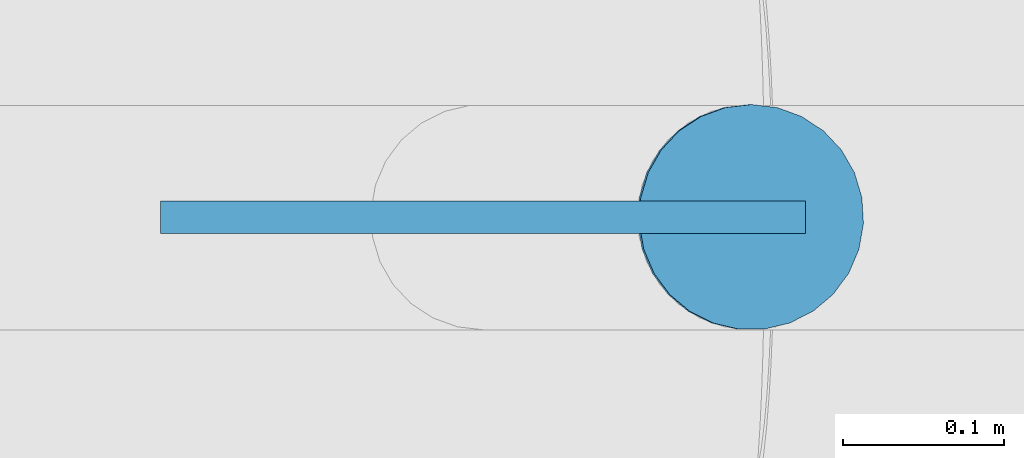
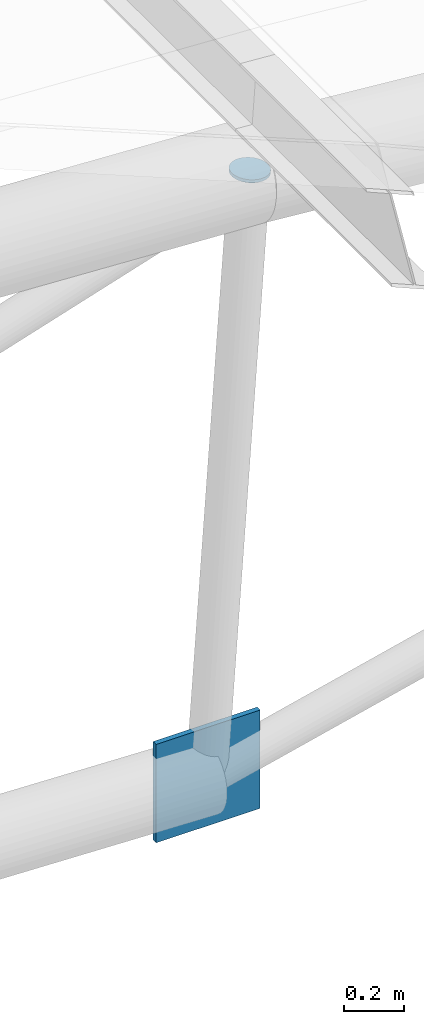
# One storey, part 71 of 91: 2 discrete accessories.
"""IFC4 building model written with IfcOpenShell, lengths in metres."""

from ifc_helpers import new_model, si_unit, direction, frame, origin, origin_2d, place, context, subcontext, project, spatial, rectangle, circle, extrude, material, material_profile, profile_set, type_object, element, save


model = new_model("IFC4")

# Units and contexts
model_context = context("Model", 3, precision=1e-05, world=origin(), true_north=direction((0.0, 1.0)))
body_context = subcontext(model_context, "Body", "Model", "MODEL_VIEW")
ifc_project = project(units=[si_unit("LENGTHUNIT", "METRE"), si_unit("AREAUNIT", "SQUARE_METRE"), si_unit("VOLUMEUNIT", "CUBIC_METRE"), si_unit("PLANEANGLEUNIT", "RADIAN"), si_unit("MASSUNIT", "GRAM", prefix="KILO")], contexts=[model_context])

# Site, building, storey
site_placement = place(None, origin())
site = spatial("IfcSite", under=ifc_project, at=site_placement, CompositionType="ELEMENT")
building_placement = place(site_placement, origin())
building = spatial("IfcBuilding", under=site, at=building_placement, Name="Ravi Spectrum Wholesale Market", CompositionType="ELEMENT")
storey_placement = place(building_placement, frame((0.0, 0.0, 16.199951171875)))
storey = spatial("IfcBuildingStorey", under=building, at=storey_placement, Name="ROOF PLANT LEVEL", CompositionType="ELEMENT", Elevation=16.199951171875)

# Discrete accessories
ifc_material_1 = material(Name="Steel S355", Category="steel")
ifc_material_profile_1 = material_profile(ifc_material_1, circle(Radius=0.06982421875, at=origin_2d()))
ifc_profile_set_1 = profile_set([ifc_material_profile_1], Name="Steel S355")
discrete_accessory_type_1 = type_object("IfcDiscreteAccessoryType", Name="End plate CHS 139.7x5", PredefinedType="BRACKET", material=ifc_profile_set_1)
discrete_accessory_1_placement = place(storey_placement, frame((76.857177734375, 138.0, 2.788818359375), z_axis=(0.081362009455, 0.0, 0.996684615823), x_axis=(0.0, 1.0, 0.0)))
element("IfcDiscreteAccessory", 1, at=discrete_accessory_1_placement, inside=storey, type_object=discrete_accessory_type_1, Name="End plate", PredefinedType="BRACKET", context=body_context, shape_type="SweptSolid", body=[
    extrude(circle(Radius=0.06982421875, at=origin_2d()), origin(), (0.0, 0.0, 1.0), 0.011962890625),
])
ifc_material_2 = material(Name="Steel S355", Category="steel")
ifc_material_profile_2 = material_profile(ifc_material_2, rectangle(XDim=0.39990234375, YDim=0.02001953125, at=origin_2d()))
ifc_profile_set_2 = profile_set([ifc_material_profile_2], Name="Steel S355")
discrete_accessory_type_2 = type_object("IfcDiscreteAccessoryType", Name="Gusset plate 400x400x20", PredefinedType="BRACKET", material=ifc_profile_set_2)
discrete_accessory_2_placement = place(storey_placement, frame((76.69189453125, 138.0, 0.194580078125), z_axis=(0.0, 0.0, 1.0), x_axis=(-1.0, 0.0, 0.0)))
element("IfcDiscreteAccessory", 2, at=discrete_accessory_2_placement, inside=storey, type_object=discrete_accessory_type_2, Name="Gusset plate", PredefinedType="BRACKET", context=body_context, shape_type="SweptSolid", body=[
    extrude(rectangle(XDim=0.39990234375, YDim=0.02001953125, at=origin_2d()), origin(), (0.0, 0.0, 1.0), 0.39990234375),
])

save(model, "model.ifc")
